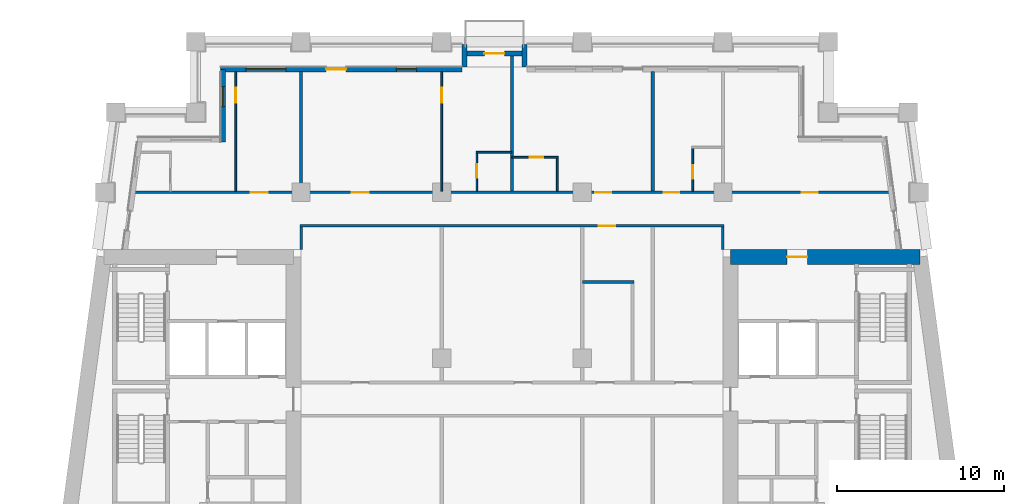
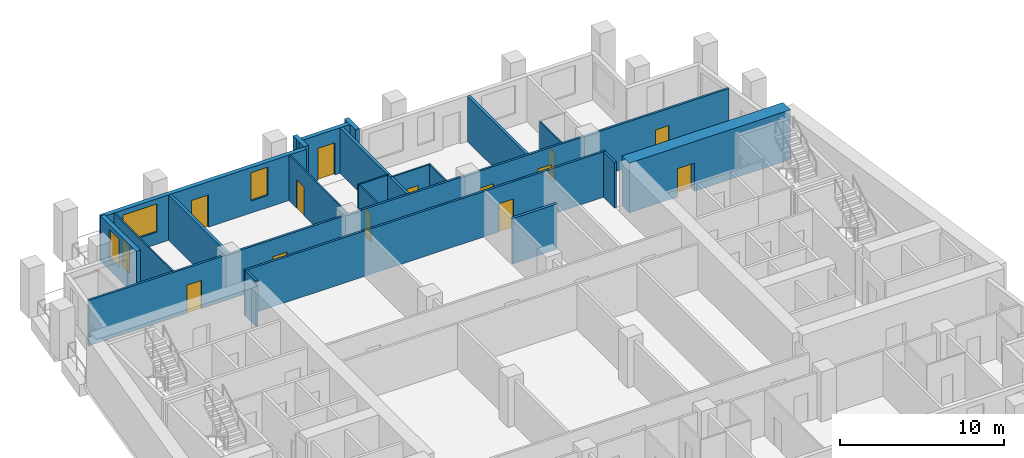
# One storey, part 7 of 13: 21 walls, 14 doors, 3 windows, 17 openings.
"""IFC4 building model written with IfcOpenShell, lengths in metres."""

import ifcopenshell
import ifcopenshell.guid

model = None  # the IFC model being written
_history = None  # IfcOwnerHistory: only IFC2X3 demands one
_inside = {}  # id of a spatial element -> (the spatial element, [elements in it])
_under = {}  # id of a project, library or spatial element -> (it, [spatial elements below it])
_declared = {}  # id of a project -> (the project, [libraries it declares])
_typed = {}  # id of a type object -> (the type object, [elements of that type])
_made_of = {}  # id of a material, layer set ... -> (it, [elements and type objects made of it])


def new_model(schema):
    """Start an empty IFC model of exactly this schema.

    Asked for "IFC4X3", IfcOpenShell would pick the latest addendum, in which some entities
    have other attributes; the version numbers below select the first issue.
    IFC2X3 requires an IfcOwnerHistory on every rooted entity: one is made here for all.
    """
    global model, _history
    if schema == "IFC4X3":
        model = ifcopenshell.file(schema_version=(4, 3, 0, 0))
    else:
        model = ifcopenshell.file(schema=schema)
    _inside.clear()
    _under.clear()
    _declared.clear()
    _typed.clear()
    _made_of.clear()
    _history = None
    if model.schema == "IFC2X3":
        org = make("IfcOrganization", Name="unknown")
        user = make(
            "IfcPersonAndOrganization",
            ThePerson=make("IfcPerson", FamilyName="unknown"),
            TheOrganization=org,
        )
        app = make(
            "IfcApplication",
            ApplicationDeveloper=org,
            Version="unknown",
            ApplicationFullName="unknown",
            ApplicationIdentifier="unknown",
        )
        _history = make(
            "IfcOwnerHistory",
            OwningUser=user,
            OwningApplication=app,
            ChangeAction="ADDED",
            CreationDate=0,
        )
    return model


def make(cls, **values):
    """One entity of the class cls with the attributes given. An attribute that is None is left unset."""
    return model.create_entity(
        cls, **{name: value for name, value in values.items() if value is not None}
    )


def rooted(cls, **values):
    """An entity with a GlobalId (a new one), such as an element, a storey or a relation."""
    return make(cls, GlobalId=ifcopenshell.guid.new(), OwnerHistory=_history, **values)


def si_unit(unit_type, name, prefix=None):
    """IfcSIUnit, for example si_unit("LENGTHUNIT", "METRE", prefix="MILLI")."""
    return make("IfcSIUnit", UnitType=unit_type, Prefix=prefix, Name=name)


def assignment(units):
    """IfcUnitAssignment: the units of a project."""
    return None if units is None else make("IfcUnitAssignment", Units=units)


def point(xyz):
    """IfcCartesianPoint."""
    return None if xyz is None else make("IfcCartesianPoint", Coordinates=xyz)


def direction(xyz):
    """IfcDirection."""
    return None if xyz is None else make("IfcDirection", DirectionRatios=xyz)


def frame(location, z_axis=None, x_axis=None):
    """IfcAxis2Placement3D, a coordinate frame: its origin and axes. An axis left out is left unset."""
    return make(
        "IfcAxis2Placement3D",
        Location=point(location),
        Axis=direction(z_axis),
        RefDirection=direction(x_axis),
    )


def frame_2d(location, x_axis=None):
    """IfcAxis2Placement2D, a coordinate frame in the plane: its origin and x axis."""
    return make(
        "IfcAxis2Placement2D", Location=point(location), RefDirection=direction(x_axis)
    )


def origin():
    """The frame at (0, 0, 0) with its axes left unset."""
    return frame((0.0, 0.0, 0.0))


def place(relative_to, where):
    """IfcLocalPlacement: puts the frame where relative to a parent placement (None: the world)."""
    return make(
        "IfcLocalPlacement", PlacementRelTo=relative_to, RelativePlacement=where
    )


def context(
    kind, dimensions, precision=None, world=None, true_north=None, identifier=None
):
    """IfcGeometricRepresentationContext, for example the 3D "Model" context."""
    return make(
        "IfcGeometricRepresentationContext",
        ContextIdentifier=identifier,
        ContextType=kind,
        CoordinateSpaceDimension=dimensions,
        Precision=precision,
        WorldCoordinateSystem=world,
        TrueNorth=true_north,
    )


def subcontext(parent, identifier, kind, view, scale=None):
    """IfcGeometricRepresentationSubContext, for example "Body" below "Model"."""
    return make(
        "IfcGeometricRepresentationSubContext",
        ContextIdentifier=identifier,
        ContextType=kind,
        ParentContext=parent,
        TargetScale=scale,
        TargetView=view,
    )


def project(units=None, contexts=None):
    """IfcProject with its units and contexts."""
    return rooted(
        "IfcProject",
        Name="project",
        RepresentationContexts=contexts,
        UnitsInContext=assignment(units),
    )


def spatial(cls, under=None, at=None, **own):
    """A site, building, storey or space (cls), placed at a placement, below another one or the project."""
    s = rooted(cls, ObjectPlacement=at, **own)
    if under is not None:
        _under.setdefault(under.id(), (under, []))[1].append(s)
    return s


def profile(cls, at=None, kind="AREA", **sizes):
    """A parametric profile (cls). Its sizes go by their IFC names, for example OverallWidth=200.0."""
    return make(cls, ProfileType=kind, Position=at, **sizes)


def rectangle(**sizes):
    """IfcRectangleProfileDef."""
    return profile("IfcRectangleProfileDef", **sizes)


def extrude(swept, where, along, depth):
    """IfcExtrudedAreaSolid: the profile swept, set in the frame where, extruded along a direction by depth."""
    return make(
        "IfcExtrudedAreaSolid",
        SweptArea=swept,
        Position=where,
        ExtrudedDirection=direction(along),
        Depth=depth,
    )


def shape(context_of_items, identifier, shape_type, items):
    """IfcShapeRepresentation: the items that make up one representation, for example the "Body"."""
    return make(
        "IfcShapeRepresentation",
        ContextOfItems=context_of_items,
        RepresentationIdentifier=identifier,
        RepresentationType=shape_type,
        Items=items,
    )


def material(Name=None, Category=None):
    """IfcMaterial."""
    return make("IfcMaterial", Name=Name, Category=Category)


def layer(
    of_material, thickness, ventilated=None, Name=None, Category=None, Priority=None
):
    """IfcMaterialLayer: one layer of a wall or slab, of a material (None: an air gap)."""
    return make(
        "IfcMaterialLayer",
        Material=of_material,
        LayerThickness=thickness,
        IsVentilated=ventilated,
        Name=Name,
        Category=Category,
        Priority=Priority,
    )


def layer_set(layers, Name=None):
    """IfcMaterialLayerSet."""
    return make("IfcMaterialLayerSet", MaterialLayers=layers, LayerSetName=Name)


def made_of(thing, what):
    """Note that an element or type object is made of a material, layer set ...; save() writes the relation."""
    if what is not None:
        _made_of.setdefault(what.id(), (what, []))[1].append(thing)
    return thing


def type_object(cls, material=None, **own):
    """A type object (cls), such as IfcWallType, which elements share."""
    return made_of(rooted(cls, **own), material)


def element(
    cls,
    number,
    at=None,
    inside=None,
    cuts=None,
    type_object=None,
    material=None,
    context=None,
    identifier="Body",
    shape_type=None,
    held_by="IfcProductDefinitionShape",
    body=None,
    shapes=None,
    **own,
):
    """One element of the class cls, such as IfcWall. Its Tag is "e" and its number.

    at: its placement. inside: the storey or other place that contains it. cuts: it is an
    opening in that element (IfcRelVoidsElement). A single representation is given by context,
    identifier, shape_type and body (its items); several are given by shapes. held_by: the class
    of the entity that holds the representations. save() writes the other relations.
    """
    e = rooted(cls, Tag="e%d" % number, ObjectPlacement=at, **own)
    if body is not None:
        shapes = [shape(context, identifier, shape_type, body)]
    if shapes is not None:
        e.Representation = make(held_by, Representations=shapes)
    if inside is not None:
        _inside.setdefault(inside.id(), (inside, []))[1].append(e)
    if cuts is not None:
        rooted(
            "IfcRelVoidsElement", RelatingBuildingElement=cuts, RelatedOpeningElement=e
        )
    if type_object is not None:
        _typed.setdefault(type_object.id(), (type_object, []))[1].append(e)
    return made_of(e, material)


def fill(opening, filler):
    """IfcRelFillsElement: the door or window that sits in an opening."""
    return rooted(
        "IfcRelFillsElement",
        RelatingOpeningElement=opening,
        RelatedBuildingElement=filler,
    )


def aggregate(whole, parts):
    """IfcRelAggregates: a whole, such as a stair, and the parts it consists of."""
    return rooted("IfcRelAggregates", RelatingObject=whole, RelatedObjects=parts)


def save(model, path):
    """Write the relations noted so far, then the file.

    IfcRelAggregates (storeys below a building ...), IfcRelContainedInSpatialStructure (elements
    in a storey), IfcRelDefinesByType, IfcRelAssociatesMaterial and IfcRelDeclares: one each for
    every whole, place, type object, material and project.
    """
    for whole, parts in _under.values():
        aggregate(whole, parts)
    for where, things in _inside.values():
        rooted(
            "IfcRelContainedInSpatialStructure",
            RelatedElements=things,
            RelatingStructure=where,
        )
    for kind, things in _typed.values():
        rooted("IfcRelDefinesByType", RelatedObjects=things, RelatingType=kind)
    for what, things in _made_of.values():
        rooted("IfcRelAssociatesMaterial", RelatedObjects=things, RelatingMaterial=what)
    for by, libraries in _declared.values():
        rooted("IfcRelDeclares", RelatingContext=by, RelatedDefinitions=libraries)
    model.write(path)


model = new_model("IFC4")

# Units and contexts
model_context = context("Model", 3, precision=1e-05, world=origin(), true_north=direction((0.0, 1.0)))
body_context = subcontext(model_context, "Body", "Model", "MODEL_VIEW")
ifc_project = project(units=[si_unit("LENGTHUNIT", "METRE"), si_unit("AREAUNIT", "SQUARE_METRE"), si_unit("VOLUMEUNIT", "CUBIC_METRE"), si_unit("PLANEANGLEUNIT", "RADIAN"), si_unit("MASSUNIT", "GRAM", prefix="KILO")], contexts=[model_context])

# Site, building, storey
site_placement = place(None, origin())
site = spatial("IfcSite", under=ifc_project, at=site_placement, CompositionType="ELEMENT")
building_placement = place(site_placement, origin())
building = spatial("IfcBuilding", under=site, at=building_placement, Name="Candeia Pilgrim Tower and Theatre", CompositionType="ELEMENT")
storey_placement = place(building_placement, frame((0.0, 0.0, 155.199951171875)))
storey = spatial("IfcBuildingStorey", under=building, at=storey_placement, Name="L36", CompositionType="ELEMENT", Elevation=155.199951171875)

# Wall, opening, door
ifc_material_1 = material(Name="Concrete C60/75", Category="concrete")
ifc_layer_1 = layer(ifc_material_1, 0.89990234375)
ifc_layer_set_1 = layer_set([ifc_layer_1], Name="Core wall 900 C60/75")
wall_type_1 = type_object("IfcWallType", Name="Core wall 900 C60/75", PredefinedType="SHEAR", material=ifc_layer_set_1)
wall_1_placement = place(storey_placement, frame((126.449951171875, 131.949951171875, 0.0), z_axis=(0.0, 0.0, 1.0), x_axis=(1.0, 0.0, 0.0)))
wall_1 = element("IfcWall", 1, at=wall_1_placement, inside=storey, type_object=wall_type_1, Name="Core wall E1", PredefinedType="SHEAR", context=body_context, shape_type="SweptSolid", body=[
    extrude(rectangle(XDim=11.32568359375, YDim=0.89990234375, at=frame_2d((5.662841796875, 0.0))), origin(), (0.0, 0.0, 1.0), 3.699951171875),
])
opening_1_placement = place(wall_1_placement, frame((3.386474609375, 0.0, 0.0)))
opening_1 = element("IfcOpeningElement", 2, at=opening_1_placement, cuts=wall_1, Name="Opening L36-D059", PredefinedType="OPENING", context=body_context, shape_type="SweptSolid", body=[
    extrude(rectangle(XDim=1.199951171875, YDim=2.10009765625, at=frame_2d((0.60009765625, 1.050048828125))), frame((0.0, 0.4599609375, 0.0), z_axis=(0.0, -1.0, 0.0), x_axis=(1.0, 0.0, 0.0)), (0.0, 0.0, 1.0), 0.919921875),
])
ifc_material_2 = material(Name="Steel fire door set", Category="steel")
door_type_1 = type_object("IfcDoorType", Name="D-1200-FD60", OperationType="NOTDEFINED", PredefinedType="DOOR", material=ifc_material_2)
door_1_placement = place(opening_1_placement, origin())
door_1 = element("IfcDoor", 3, at=door_1_placement, inside=storey, type_object=door_type_1, Name="Door L36-D059", OperationType="SINGLE_SWING_LEFT", OverallHeight=2.10009765625, OverallWidth=1.199951171875, PredefinedType="DOOR", context=body_context, shape_type="SweptSolid", body=[
    extrude(rectangle(XDim=1.199951171875, YDim=2.10009765625, at=frame_2d((0.60009765625, 1.050048828125))), frame((0.0, 0.02490234375, 0.0), z_axis=(0.0, -1.0, 0.0), x_axis=(1.0, 0.0, 0.0)), (0.0, 0.0, 1.0), 0.050048828125),
])
fill(opening_1, door_1)

# Wall, openings, door, windows
ifc_material_3 = material(Name="Ceramic block masonry", Category="masonry")
ifc_layer_2 = layer(ifc_material_3, 0.300048828125)
ifc_layer_set_2 = layer_set([ifc_layer_2], Name="EW1 glazing-line wall 300")
wall_type_2 = type_object("IfcWallType", Name="EW1 glazing-line wall 300", PredefinedType="SOLIDWALL", material=ifc_layer_set_2)
wall_2_placement = place(storey_placement, frame((110.39990234375, 143.14990234375, 0.0), z_axis=(0.0, 0.0, 1.0), x_axis=(-1.0, 0.0, 0.0)))
wall_2 = element("IfcWall", 4, at=wall_2_placement, inside=storey, type_object=wall_type_2, Name="External wall L36-6.1", PredefinedType="SOLIDWALL", context=body_context, shape_type="SweptSolid", body=[
    extrude(rectangle(XDim=14.39990234375, YDim=0.300048828125, at=frame_2d((7.199951171875, 0.0))), origin(), (0.0, 0.0, 1.0), 3.380126953125),
])
opening_2_placement = place(wall_2_placement, frame((2.699951171875, 0.0, 0.89990234375)))
opening_2 = element("IfcOpeningElement", 5, at=opening_2_placement, cuts=wall_2, Name="Opening W-B", PredefinedType="OPENING", context=body_context, shape_type="SweptSolid", body=[
    extrude(rectangle(XDim=1.199951171875, YDim=2.10009765625, at=frame_2d((0.60009765625, 1.050048828125))), frame((0.0, 0.16015625, 0.0), z_axis=(0.0, -1.0, 0.0), x_axis=(1.0, 0.0, 0.0)), (0.0, 0.0, 1.0), 0.320068359375),
])
opening_3_placement = place(wall_2_placement, frame((6.89990234375, 0.0, 0.0)))
opening_3 = element("IfcOpeningElement", 6, at=opening_3_placement, cuts=wall_2, Name="Opening L36-ED349", PredefinedType="OPENING", context=body_context, shape_type="SweptSolid", body=[
    extrude(rectangle(XDim=1.199951171875, YDim=2.39990234375, at=frame_2d((0.60009765625, 1.199951171875))), frame((0.0, 0.16015625, 0.0), z_axis=(0.0, -1.0, 0.0), x_axis=(1.0, 0.0, 0.0)), (0.0, 0.0, 1.0), 0.320068359375),
])
opening_4_placement = place(wall_2_placement, frame((10.5, 0.0, 0.89990234375)))
opening_4 = element("IfcOpeningElement", 7, at=opening_4_placement, cuts=wall_2, Name="Opening W-A", PredefinedType="OPENING", context=body_context, shape_type="SweptSolid", body=[
    extrude(rectangle(XDim=2.39990234375, YDim=2.10009765625, at=frame_2d((1.199951171875, 1.050048828125))), frame((0.0, 0.16015625, 0.0), z_axis=(0.0, -1.0, 0.0), x_axis=(1.0, 0.0, 0.0)), (0.0, 0.0, 1.0), 0.320068359375),
])
ifc_material_4 = material(Name="Aluminium framed glazed door", Category="aluminium")
door_type_2 = type_object("IfcDoorType", Name="Loggia door 1200x2400", OperationType="DOUBLE_DOOR_SINGLE_SWING", PredefinedType="DOOR", material=ifc_material_4)
door_2_placement = place(opening_3_placement, origin())
door_2 = element("IfcDoor", 8, at=door_2_placement, inside=storey, type_object=door_type_2, Name="Loggia door L36-ED349", OperationType="DOUBLE_DOOR_SINGLE_SWING", OverallHeight=2.39990234375, OverallWidth=1.199951171875, PredefinedType="DOOR", context=body_context, shape_type="SweptSolid", body=[
    extrude(rectangle(XDim=1.199951171875, YDim=2.39990234375, at=frame_2d((0.60009765625, 1.199951171875))), frame((0.0, 0.02490234375, 0.0), z_axis=(0.0, -1.0, 0.0), x_axis=(1.0, 0.0, 0.0)), (0.0, 0.0, 1.0), 0.050048828125),
])
fill(opening_3, door_2)
ifc_material_5 = material(Name="Aluminium framed double glazing", Category="aluminium")
window_type_1 = type_object("IfcWindowType", Name="W-A window 2400x2100", PartitioningType="DOUBLE_PANEL_VERTICAL", PredefinedType="WINDOW", material=ifc_material_5)
window_1_placement = place(opening_4_placement, origin())
window_1 = element("IfcWindow", 9, at=window_1_placement, inside=storey, type_object=window_type_1, Name="Window W-A L36", OverallHeight=2.10009765625, OverallWidth=2.39990234375, PartitioningType="SINGLE_PANEL", PredefinedType="WINDOW", context=body_context, shape_type="SweptSolid", body=[
    extrude(rectangle(XDim=2.39990234375, YDim=2.10009765625, at=frame_2d((1.199951171875, 1.050048828125))), frame((0.0, 0.030029296875, 0.0), z_axis=(0.0, -1.0, 0.0), x_axis=(1.0, 0.0, 0.0)), (0.0, 0.0, 1.0), 0.06005859375),
])
fill(opening_4, window_1)
window_type_2 = type_object("IfcWindowType", Name="W-B window 1200x2100", PartitioningType="SINGLE_PANEL", PredefinedType="WINDOW", material=ifc_material_5)
window_2_placement = place(opening_2_placement, origin())
window_2 = element("IfcWindow", 10, at=window_2_placement, inside=storey, type_object=window_type_2, Name="Window W-B L36", OverallHeight=2.10009765625, OverallWidth=1.199951171875, PartitioningType="SINGLE_PANEL", PredefinedType="WINDOW", context=body_context, shape_type="SweptSolid", body=[
    extrude(rectangle(XDim=1.199951171875, YDim=2.10009765625, at=frame_2d((0.60009765625, 1.050048828125))), frame((0.0, 0.030029296875, 0.0), z_axis=(0.0, -1.0, 0.0), x_axis=(1.0, 0.0, 0.0)), (0.0, 0.0, 1.0), 0.06005859375),
])
fill(opening_2, window_2)

# Wall, opening, window
wall_3_placement = place(storey_placement, frame((96.14990234375, 143.14990234375, 0.0), z_axis=(0.0, 0.0, 1.0), x_axis=(0.0, -1.0, 0.0)))
wall_3 = element("IfcWall", 11, at=wall_3_placement, inside=storey, type_object=wall_type_2, Name="External wall L36-7.0", PredefinedType="SOLIDWALL", context=body_context, shape_type="SweptSolid", body=[
    extrude(rectangle(XDim=4.349853515625, YDim=0.300048828125, at=frame_2d((2.1748046875, 0.0))), origin(), (0.0, 0.0, 1.0), 3.380126953125),
])
opening_5_placement = place(wall_3_placement, frame((1.02490234375, 0.0, 0.89990234375)))
opening_5 = element("IfcOpeningElement", 12, at=opening_5_placement, cuts=wall_3, Name="Opening W-B", PredefinedType="OPENING", context=body_context, shape_type="SweptSolid", body=[
    extrude(rectangle(XDim=1.199951171875, YDim=2.10009765625, at=frame_2d((0.60009765625, 1.050048828125))), frame((0.0, 0.16015625, 0.0), z_axis=(0.0, -1.0, 0.0), x_axis=(1.0, 0.0, 0.0)), (0.0, 0.0, 1.0), 0.320068359375),
])
window_3_placement = place(opening_5_placement, origin())
window_3 = element("IfcWindow", 13, at=window_3_placement, inside=storey, type_object=window_type_2, Name="Window W-B L36", OverallHeight=2.10009765625, OverallWidth=1.199951171875, PartitioningType="SINGLE_PANEL", PredefinedType="WINDOW", context=body_context, shape_type="SweptSolid", body=[
    extrude(rectangle(XDim=1.199951171875, YDim=2.10009765625, at=frame_2d((0.60009765625, 1.050048828125))), frame((0.0, 0.030029296875, 0.0), z_axis=(0.0, -1.0, 0.0), x_axis=(1.0, 0.0, 0.0)), (0.0, 0.0, 1.0), 0.06005859375),
])
fill(opening_5, window_3)

# Walls
ifc_layer_3 = layer(ifc_material_3, 0.300048828125)
ifc_layer_set_3 = layer_set([ifc_layer_3], Name="EW2 entrance infill wall 300")
wall_type_3 = type_object("IfcWallType", Name="EW2 entrance infill wall 300", PredefinedType="SOLIDWALL", material=ifc_layer_set_3)
for number, where, z_axis, x_axis, name in (
    (14, (114.14990234375, 143.300048828125, 0.0), (0.0, 0.0, 1.0), (0.0, 1.0, 0.0), "Alcove wall L36"),
    (15, (110.550048828125, 143.300048828125, 0.0), (0.0, 0.0, 1.0), (0.0, 1.0, 0.0), "Alcove wall L36"),
):
    element("IfcWall", number, at=place(storey_placement, frame(where, z_axis=z_axis, x_axis=x_axis)), inside=storey, type_object=wall_type_3, Name=name, PredefinedType="SOLIDWALL", context=body_context, shape_type="SweptSolid", body=[
        extrude(rectangle(XDim=1.349853515625, YDim=0.300048828125, at=frame_2d((0.6748046875, 0.0))), origin(), (0.0, 0.0, 1.0), 3.380126953125),
    ])

# Wall, opening, door
wall_4_placement = place(storey_placement, frame((114.300048828125, 144.10009765625, 0.0), z_axis=(0.0, 0.0, 1.0), x_axis=(-1.0, 0.0, 0.0)))
wall_4 = element("IfcWall", 16, at=wall_4_placement, inside=storey, type_object=wall_type_3, Name="Alcove wall L36", PredefinedType="SOLIDWALL", context=body_context, shape_type="SweptSolid", body=[
    extrude(rectangle(XDim=3.900146484375, YDim=0.300048828125, at=frame_2d((1.9501953125, 0.0))), origin(), (0.0, 0.0, 1.0), 3.380126953125),
])
opening_6_placement = place(wall_4_placement, frame((1.35009765625, 0.0, 0.0)))
opening_6 = element("IfcOpeningElement", 17, at=opening_6_placement, cuts=wall_4, Name="Opening L36-ED350", PredefinedType="OPENING", context=body_context, shape_type="SweptSolid", body=[
    extrude(rectangle(XDim=1.199951171875, YDim=2.39990234375, at=frame_2d((0.60009765625, 1.199951171875))), frame((0.0, 0.16015625, 0.0), z_axis=(0.0, -1.0, 0.0), x_axis=(1.0, 0.0, 0.0)), (0.0, 0.0, 1.0), 0.320068359375),
])
door_3_placement = place(opening_6_placement, origin())
door_3 = element("IfcDoor", 18, at=door_3_placement, inside=storey, type_object=door_type_2, Name="Balcony door L36-ED350", OperationType="DOUBLE_DOOR_SINGLE_SWING", OverallHeight=2.39990234375, OverallWidth=1.199951171875, PredefinedType="DOOR", context=body_context, shape_type="SweptSolid", body=[
    extrude(rectangle(XDim=1.199951171875, YDim=2.39990234375, at=frame_2d((0.60009765625, 1.199951171875))), frame((0.0, 0.02490234375, 0.0), z_axis=(0.0, -1.0, 0.0), x_axis=(1.0, 0.0, 0.0)), (0.0, 0.0, 1.0), 0.050048828125),
])
fill(opening_6, door_3)

ifc_material_6 = material(Name="Gypsum board partition on steel studs", Category="steel")
ifc_layer_4 = layer(ifc_material_6, 0.10009765625)
ifc_layer_set_4 = layer_set([ifc_layer_4], Name="PW-100 room partition")
wall_type_4 = type_object("IfcWallType", Name="PW-100 room partition", PredefinedType="PARTITIONING", material=ifc_layer_set_4)
wall_5_placement = place(storey_placement, frame((113.39990234375, 137.89990234375, 0.0), z_axis=(0.0, 0.0, 1.0), x_axis=(1.0, 0.0, 0.0)))
wall_5 = element("IfcWall", 19, at=wall_5_placement, inside=storey, type_object=wall_type_4, Name="Room partition L36-043", PredefinedType="PARTITIONING", context=body_context, shape_type="SweptSolid", body=[
    extrude(rectangle(XDim=2.75, YDim=0.10009765625, at=frame_2d((1.375, 0.0))), origin(), (0.0, 0.0, 1.0), 3.380126953125),
])
opening_7_placement = place(wall_5_placement, frame((1.070068359375, 0.0, 0.0)))
opening_7 = element("IfcOpeningElement", 20, at=opening_7_placement, cuts=wall_5, Name="Opening L36-D042", PredefinedType="OPENING", context=body_context, shape_type="SweptSolid", body=[
    extrude(rectangle(XDim=0.800048828125, YDim=2.10009765625, at=frame_2d((0.39990234375, 1.050048828125))), frame((0.0, 0.06005859375, 0.0), z_axis=(0.0, -1.0, 0.0), x_axis=(1.0, 0.0, 0.0)), (0.0, 0.0, 1.0), 0.1201171875),
])
ifc_material_7 = material(Name="Timber door leaf", Category="wood")
door_type_3 = type_object("IfcDoorType", Name="D-800", OperationType="NOTDEFINED", PredefinedType="DOOR", material=ifc_material_7)
door_4_placement = place(opening_7_placement, origin())
door_4 = element("IfcDoor", 21, at=door_4_placement, inside=storey, type_object=door_type_3, Name="Door L36-D042", OperationType="SINGLE_SWING_RIGHT", OverallHeight=2.10009765625, OverallWidth=0.800048828125, PredefinedType="DOOR", context=body_context, shape_type="SweptSolid", body=[
    extrude(rectangle(XDim=0.800048828125, YDim=2.10009765625, at=frame_2d((0.39990234375, 1.050048828125))), frame((0.0, 0.02490234375, 0.0), z_axis=(0.0, -1.0, 0.0), x_axis=(1.0, 0.0, 0.0)), (0.0, 0.0, 1.0), 0.050048828125),
])
fill(opening_7, door_4)

# Wall
wall_6_placement = place(storey_placement, frame((111.25, 138.199951171875, 0.0), z_axis=(0.0, 0.0, 1.0), x_axis=(1.0, 0.0, 0.0)))
element("IfcWall", 22, at=wall_6_placement, inside=storey, type_object=wall_type_4, Name="Room partition L36-045", PredefinedType="PARTITIONING", context=body_context, shape_type="SweptSolid", body=[
    extrude(rectangle(XDim=2.14990234375, YDim=0.10009765625, at=frame_2d((1.074951171875, 0.0))), origin(), (0.0, 0.0, 1.0), 3.380126953125),
])

# Wall, opening, door
wall_7_placement = place(storey_placement, frame((96.89990234375, 135.875, 0.0), z_axis=(0.0, 0.0, 1.0), x_axis=(0.0, 1.0, 0.0)))
wall_7 = element("IfcWall", 23, at=wall_7_placement, inside=storey, type_object=wall_type_4, Name="Room partition L36-064", PredefinedType="PARTITIONING", context=body_context, shape_type="SweptSolid", body=[
    extrude(rectangle(XDim=7.135009765625, YDim=0.10009765625, at=frame_2d((3.5673828125, 0.0))), origin(), (0.0, 0.0, 1.0), 3.380126953125),
])
opening_8_placement = place(wall_7_placement, frame((5.2900390625, 0.0, 0.0)))
opening_8 = element("IfcOpeningElement", 24, at=opening_8_placement, cuts=wall_7, Name="Opening L36-D036", PredefinedType="OPENING", context=body_context, shape_type="SweptSolid", body=[
    extrude(rectangle(XDim=0.89990234375, YDim=2.10009765625, at=frame_2d((0.449951171875, 1.050048828125))), frame((0.0, 0.06005859375, 0.0), z_axis=(0.0, -1.0, 0.0), x_axis=(1.0, 0.0, 0.0)), (0.0, 0.0, 1.0), 0.1201171875),
])
door_type_4 = type_object("IfcDoorType", Name="D-900", OperationType="NOTDEFINED", PredefinedType="DOOR", material=ifc_material_7)
door_5_placement = place(opening_8_placement, origin())
door_5 = element("IfcDoor", 25, at=door_5_placement, inside=storey, type_object=door_type_4, Name="Door L36-D036", OperationType="SINGLE_SWING_RIGHT", OverallHeight=2.10009765625, OverallWidth=0.89990234375, PredefinedType="DOOR", context=body_context, shape_type="SweptSolid", body=[
    extrude(rectangle(XDim=0.89990234375, YDim=2.10009765625, at=frame_2d((0.449951171875, 1.050048828125))), frame((0.0, 0.02490234375, 0.0), z_axis=(0.0, -1.0, 0.0), x_axis=(1.0, 0.0, 0.0)), (0.0, 0.0, 1.0), 0.050048828125),
])
fill(opening_8, door_5)

wall_8_placement = place(storey_placement, frame((109.199951171875, 135.875, 0.0), z_axis=(0.0, 0.0, 1.0), x_axis=(0.0, 1.0, 0.0)))
wall_8 = element("IfcWall", 26, at=wall_8_placement, inside=storey, type_object=wall_type_4, Name="Room partition L36-077", PredefinedType="PARTITIONING", context=body_context, shape_type="SweptSolid", body=[
    extrude(rectangle(XDim=7.135009765625, YDim=0.10009765625, at=frame_2d((3.5673828125, 0.0))), origin(), (0.0, 0.0, 1.0), 3.380126953125),
])
opening_9_placement = place(wall_8_placement, frame((5.2900390625, 0.0, 0.0)))
opening_9 = element("IfcOpeningElement", 27, at=opening_9_placement, cuts=wall_8, Name="Opening L36-D039", PredefinedType="OPENING", context=body_context, shape_type="SweptSolid", body=[
    extrude(rectangle(XDim=0.89990234375, YDim=2.10009765625, at=frame_2d((0.449951171875, 1.050048828125))), frame((0.0, 0.06005859375, 0.0), z_axis=(0.0, -1.0, 0.0), x_axis=(1.0, 0.0, 0.0)), (0.0, 0.0, 1.0), 0.1201171875),
])
door_6_placement = place(opening_9_placement, origin())
door_6 = element("IfcDoor", 28, at=door_6_placement, inside=storey, type_object=door_type_4, Name="Door L36-D039", OperationType="SINGLE_SWING_LEFT", OverallHeight=2.10009765625, OverallWidth=0.89990234375, PredefinedType="DOOR", context=body_context, shape_type="SweptSolid", body=[
    extrude(rectangle(XDim=0.89990234375, YDim=2.10009765625, at=frame_2d((0.449951171875, 1.050048828125))), frame((0.0, 0.02490234375, 0.0), z_axis=(0.0, -1.0, 0.0), x_axis=(1.0, 0.0, 0.0)), (0.0, 0.0, 1.0), 0.050048828125),
])
fill(opening_9, door_6)

wall_9_placement = place(storey_placement, frame((111.300048828125, 135.875, 0.0), z_axis=(0.0, 0.0, 1.0), x_axis=(0.0, 1.0, 0.0)))
wall_9 = element("IfcWall", 29, at=wall_9_placement, inside=storey, type_object=wall_type_4, Name="Room partition L36-081", PredefinedType="PARTITIONING", context=body_context, shape_type="SweptSolid", body=[
    extrude(rectangle(XDim=2.27490234375, YDim=0.10009765625, at=frame_2d((1.137451171875, 0.0))), origin(), (0.0, 0.0, 1.0), 3.380126953125),
])
opening_10_placement = place(wall_9_placement, frame((0.81494140625, 0.0, 0.0)))
opening_10 = element("IfcOpeningElement", 30, at=opening_10_placement, cuts=wall_9, Name="Opening L36-D040", PredefinedType="OPENING", context=body_context, shape_type="SweptSolid", body=[
    extrude(rectangle(XDim=0.800048828125, YDim=2.10009765625, at=frame_2d((0.39990234375, 1.050048828125))), frame((0.0, 0.06005859375, 0.0), z_axis=(0.0, -1.0, 0.0), x_axis=(1.0, 0.0, 0.0)), (0.0, 0.0, 1.0), 0.1201171875),
])
door_7_placement = place(opening_10_placement, origin())
door_7 = element("IfcDoor", 31, at=door_7_placement, inside=storey, type_object=door_type_3, Name="Door L36-D040", OperationType="SINGLE_SWING_RIGHT", OverallHeight=2.10009765625, OverallWidth=0.800048828125, PredefinedType="DOOR", context=body_context, shape_type="SweptSolid", body=[
    extrude(rectangle(XDim=0.800048828125, YDim=2.10009765625, at=frame_2d((0.39990234375, 1.050048828125))), frame((0.0, 0.02490234375, 0.0), z_axis=(0.0, -1.0, 0.0), x_axis=(1.0, 0.0, 0.0)), (0.0, 0.0, 1.0), 0.050048828125),
])
fill(opening_10, door_7)

# Wall
wall_10_placement = place(storey_placement, frame((116.10009765625, 135.875, 0.0), z_axis=(0.0, 0.0, 1.0), x_axis=(0.0, 1.0, 0.0)))
element("IfcWall", 32, at=wall_10_placement, inside=storey, type_object=wall_type_4, Name="Room partition L36-085", PredefinedType="PARTITIONING", context=body_context, shape_type="SweptSolid", body=[
    extrude(rectangle(XDim=1.97509765625, YDim=0.10009765625, at=frame_2d((0.987548828125, 0.0))), origin(), (0.0, 0.0, 1.0), 3.380126953125),
])

# Wall, opening, door
wall_11_placement = place(storey_placement, frame((124.199951171875, 135.875, 0.0), z_axis=(0.0, 0.0, 1.0), x_axis=(0.0, 1.0, 0.0)))
wall_11 = element("IfcWall", 33, at=wall_11_placement, inside=storey, type_object=wall_type_4, Name="Room partition L36-095", PredefinedType="PARTITIONING", context=body_context, shape_type="SweptSolid", body=[
    extrude(rectangle(XDim=2.574951171875, YDim=0.10009765625, at=frame_2d((1.28759765625, 0.0))), origin(), (0.0, 0.0, 1.0), 3.380126953125),
])
opening_11_placement = place(wall_11_placement, frame((0.7548828125, 0.0, 0.0)))
opening_11 = element("IfcOpeningElement", 34, at=opening_11_placement, cuts=wall_11, Name="Opening L36-D044", PredefinedType="OPENING", context=body_context, shape_type="SweptSolid", body=[
    extrude(rectangle(XDim=0.800048828125, YDim=2.10009765625, at=frame_2d((0.39990234375, 1.050048828125))), frame((0.0, 0.06005859375, 0.0), z_axis=(0.0, -1.0, 0.0), x_axis=(1.0, 0.0, 0.0)), (0.0, 0.0, 1.0), 0.1201171875),
])
door_8_placement = place(opening_11_placement, origin())
door_8 = element("IfcDoor", 35, at=door_8_placement, inside=storey, type_object=door_type_3, Name="Door L36-D044", OperationType="SINGLE_SWING_RIGHT", OverallHeight=2.10009765625, OverallWidth=0.800048828125, PredefinedType="DOOR", context=body_context, shape_type="SweptSolid", body=[
    extrude(rectangle(XDim=0.800048828125, YDim=2.10009765625, at=frame_2d((0.39990234375, 1.050048828125))), frame((0.0, 0.02490234375, 0.0), z_axis=(0.0, -1.0, 0.0), x_axis=(1.0, 0.0, 0.0)), (0.0, 0.0, 1.0), 0.050048828125),
])
fill(opening_11, door_8)

ifc_layer_5 = layer(ifc_material_6, 0.14990234375)
ifc_layer_set_5 = layer_set([ifc_layer_5], Name="PW-150 unit wall")
wall_type_5 = type_object("IfcWallType", Name="PW-150 unit wall", PredefinedType="PARTITIONING", material=ifc_layer_set_5)
wall_12_placement = place(storey_placement, frame((100.72509765625, 133.800048828125, 0.0), z_axis=(0.0, 0.0, 1.0), x_axis=(1.0, 0.0, 0.0)))
wall_12 = element("IfcWall", 36, at=wall_12_placement, inside=storey, type_object=wall_type_5, Name="Unit wall L36-041", PredefinedType="PARTITIONING", context=body_context, shape_type="SweptSolid", body=[
    extrude(rectangle(XDim=25.349853515625, YDim=0.14990234375, at=frame_2d((12.6748046875, 0.0))), origin(), (0.0, 0.0, 1.0), 3.380126953125),
])
opening_12_placement = place(wall_12_placement, frame((17.85009765625, 0.0, 0.0)))
opening_12 = element("IfcOpeningElement", 37, at=opening_12_placement, cuts=wall_12, Name="Opening L36-D046", PredefinedType="OPENING", context=body_context, shape_type="SweptSolid", body=[
    extrude(rectangle(XDim=1.0, YDim=2.10009765625, at=frame_2d((0.5, 1.050048828125))), frame((0.0, 0.0849609375, 0.0), z_axis=(0.0, -1.0, 0.0), x_axis=(1.0, 0.0, 0.0)), (0.0, 0.0, 1.0), 0.169921875),
])
door_type_5 = type_object("IfcDoorType", Name="D-1000-FD30S", OperationType="NOTDEFINED", PredefinedType="DOOR", material=ifc_material_2)
door_9_placement = place(opening_12_placement, origin())
door_9 = element("IfcDoor", 38, at=door_9_placement, inside=storey, type_object=door_type_5, Name="Door L36-D046", OperationType="SINGLE_SWING_RIGHT", OverallHeight=2.10009765625, OverallWidth=1.0, PredefinedType="DOOR", context=body_context, shape_type="SweptSolid", body=[
    extrude(rectangle(XDim=1.0, YDim=2.10009765625, at=frame_2d((0.5, 1.050048828125))), frame((0.0, 0.02490234375, 0.0), z_axis=(0.0, -1.0, 0.0), x_axis=(1.0, 0.0, 0.0)), (0.0, 0.0, 1.0), 0.050048828125),
])
fill(opening_12, door_9)

# Wall, openings, doors
wall_13_placement = place(storey_placement, frame((90.89453125, 135.800048828125, 0.0), z_axis=(0.0, 0.0, 1.0), x_axis=(1.0, 0.0, 0.0)))
wall_13 = element("IfcWall", 39, at=wall_13_placement, inside=storey, type_object=wall_type_5, Name="Unit wall L36-042", PredefinedType="PARTITIONING", context=body_context, shape_type="SweptSolid", body=[
    extrude(rectangle(XDim=45.010986328125, YDim=0.14990234375, at=frame_2d((22.50537109375, 0.0))), origin(), (0.0, 0.0, 1.0), 3.380126953125),
])
opening_13_placement = place(wall_13_placement, frame((6.905517578125, 0.0, 0.0)))
opening_13 = element("IfcOpeningElement", 40, at=opening_13_placement, cuts=wall_13, Name="Opening L36-D035", PredefinedType="OPENING", context=body_context, shape_type="SweptSolid", body=[
    extrude(rectangle(XDim=1.0, YDim=2.10009765625, at=frame_2d((0.5, 1.050048828125))), frame((0.0, 0.0849609375, 0.0), z_axis=(0.0, -1.0, 0.0), x_axis=(1.0, 0.0, 0.0)), (0.0, 0.0, 1.0), 0.169921875),
])
opening_14_placement = place(wall_13_placement, frame((12.935302734375, 0.0, 0.0)))
opening_14 = element("IfcOpeningElement", 41, at=opening_14_placement, cuts=wall_13, Name="Opening L36-D038", PredefinedType="OPENING", context=body_context, shape_type="SweptSolid", body=[
    extrude(rectangle(XDim=1.0, YDim=2.10009765625, at=frame_2d((0.5, 1.050048828125))), frame((0.0, 0.0849609375, 0.0), z_axis=(0.0, -1.0, 0.0), x_axis=(1.0, 0.0, 0.0)), (0.0, 0.0, 1.0), 0.169921875),
])
opening_15_placement = place(wall_13_placement, frame((27.477294921875, 0.0, 0.0)))
opening_15 = element("IfcOpeningElement", 42, at=opening_15_placement, cuts=wall_13, Name="Opening L36-D041", PredefinedType="OPENING", context=body_context, shape_type="SweptSolid", body=[
    extrude(rectangle(XDim=0.949951171875, YDim=2.10009765625, at=frame_2d((0.47509765625, 1.050048828125))), frame((0.0, 0.0849609375, 0.0), z_axis=(0.0, -1.0, 0.0), x_axis=(1.0, 0.0, 0.0)), (0.0, 0.0, 1.0), 0.169921875),
])
opening_16_placement = place(wall_13_placement, frame((31.555419921875, 0.0, 0.0)))
opening_16 = element("IfcOpeningElement", 43, at=opening_16_placement, cuts=wall_13, Name="Opening L36-D043", PredefinedType="OPENING", context=body_context, shape_type="SweptSolid", body=[
    extrude(rectangle(XDim=0.949951171875, YDim=2.10009765625, at=frame_2d((0.47509765625, 1.050048828125))), frame((0.0, 0.0849609375, 0.0), z_axis=(0.0, -1.0, 0.0), x_axis=(1.0, 0.0, 0.0)), (0.0, 0.0, 1.0), 0.169921875),
])
opening_17_placement = place(wall_13_placement, frame((39.814453125, 0.0, 0.0)))
opening_17 = element("IfcOpeningElement", 44, at=opening_17_placement, cuts=wall_13, Name="Opening L36-D045", PredefinedType="OPENING", context=body_context, shape_type="SweptSolid", body=[
    extrude(rectangle(XDim=0.949951171875, YDim=2.10009765625, at=frame_2d((0.47509765625, 1.050048828125))), frame((0.0, 0.0849609375, 0.0), z_axis=(0.0, -1.0, 0.0), x_axis=(1.0, 0.0, 0.0)), (0.0, 0.0, 1.0), 0.169921875),
])
door_10_placement = place(opening_13_placement, origin())
door_10 = element("IfcDoor", 45, at=door_10_placement, inside=storey, type_object=door_type_5, Name="Door L36-D035", OperationType="SINGLE_SWING_LEFT", OverallHeight=2.10009765625, OverallWidth=1.0, PredefinedType="DOOR", context=body_context, shape_type="SweptSolid", body=[
    extrude(rectangle(XDim=1.0, YDim=2.10009765625, at=frame_2d((0.5, 1.050048828125))), frame((0.0, 0.02490234375, 0.0), z_axis=(0.0, -1.0, 0.0), x_axis=(1.0, 0.0, 0.0)), (0.0, 0.0, 1.0), 0.050048828125),
])
fill(opening_13, door_10)
door_11_placement = place(opening_14_placement, origin())
door_11 = element("IfcDoor", 46, at=door_11_placement, inside=storey, type_object=door_type_5, Name="Door L36-D038", OperationType="SINGLE_SWING_RIGHT", OverallHeight=2.10009765625, OverallWidth=1.0, PredefinedType="DOOR", context=body_context, shape_type="SweptSolid", body=[
    extrude(rectangle(XDim=1.0, YDim=2.10009765625, at=frame_2d((0.5, 1.050048828125))), frame((0.0, 0.02490234375, 0.0), z_axis=(0.0, -1.0, 0.0), x_axis=(1.0, 0.0, 0.0)), (0.0, 0.0, 1.0), 0.050048828125),
])
fill(opening_14, door_11)
door_type_6 = type_object("IfcDoorType", Name="D-950-FD30S", OperationType="NOTDEFINED", PredefinedType="DOOR", material=ifc_material_2)
door_12_placement = place(opening_15_placement, origin())
door_12 = element("IfcDoor", 47, at=door_12_placement, inside=storey, type_object=door_type_6, Name="Door L36-D041", OperationType="SINGLE_SWING_LEFT", OverallHeight=2.10009765625, OverallWidth=0.949951171875, PredefinedType="DOOR", context=body_context, shape_type="SweptSolid", body=[
    extrude(rectangle(XDim=0.949951171875, YDim=2.10009765625, at=frame_2d((0.47509765625, 1.050048828125))), frame((0.0, 0.02490234375, 0.0), z_axis=(0.0, -1.0, 0.0), x_axis=(1.0, 0.0, 0.0)), (0.0, 0.0, 1.0), 0.050048828125),
])
fill(opening_15, door_12)
door_13_placement = place(opening_16_placement, origin())
door_13 = element("IfcDoor", 48, at=door_13_placement, inside=storey, type_object=door_type_6, Name="Door L36-D043", OperationType="SINGLE_SWING_LEFT", OverallHeight=2.10009765625, OverallWidth=0.949951171875, PredefinedType="DOOR", context=body_context, shape_type="SweptSolid", body=[
    extrude(rectangle(XDim=0.949951171875, YDim=2.10009765625, at=frame_2d((0.47509765625, 1.050048828125))), frame((0.0, 0.02490234375, 0.0), z_axis=(0.0, -1.0, 0.0), x_axis=(1.0, 0.0, 0.0)), (0.0, 0.0, 1.0), 0.050048828125),
])
fill(opening_16, door_13)
door_14_placement = place(opening_17_placement, origin())
door_14 = element("IfcDoor", 49, at=door_14_placement, inside=storey, type_object=door_type_6, Name="Door L36-D045", OperationType="SINGLE_SWING_LEFT", OverallHeight=2.10009765625, OverallWidth=0.949951171875, PredefinedType="DOOR", context=body_context, shape_type="SweptSolid", body=[
    extrude(rectangle(XDim=0.949951171875, YDim=2.10009765625, at=frame_2d((0.47509765625, 1.050048828125))), frame((0.0, 0.02490234375, 0.0), z_axis=(0.0, -1.0, 0.0), x_axis=(1.0, 0.0, 0.0)), (0.0, 0.0, 1.0), 0.050048828125),
])
fill(opening_17, door_14)

# Walls
for number, where, z_axis, x_axis, name in (
    (50, (100.800048828125, 132.39990234375, 0.0), (0.0, 0.0, 1.0), (0.0, 1.0, 0.0), "Unit wall L36-073"),
    (51, (126.0, 132.39990234375, 0.0), (0.0, 0.0, 1.0), (0.0, 1.0, 0.0), "Unit wall L36-098"),
):
    element("IfcWall", number, at=place(storey_placement, frame(where, z_axis=z_axis, x_axis=x_axis)), inside=storey, type_object=wall_type_5, Name=name, PredefinedType="PARTITIONING", context=body_context, shape_type="SweptSolid", body=[
        extrude(rectangle(XDim=1.3251953125, YDim=0.14990234375, at=frame_2d((0.66259765625, 0.0))), origin(), (0.0, 0.0, 1.0), 3.380126953125),
    ])
ifc_layer_6 = layer(ifc_material_6, 0.199951171875)
ifc_layer_set_6 = layer_set([ifc_layer_6], Name="PW-200 party wall")
wall_type_6 = type_object("IfcWallType", Name="PW-200 party wall", PredefinedType="PARTITIONING", material=ifc_layer_set_6)
wall_14_placement = place(storey_placement, frame((117.60009765625, 130.449951171875, 0.0), z_axis=(0.0, 0.0, 1.0), x_axis=(1.0, 0.0, 0.0)))
element("IfcWall", 52, at=wall_14_placement, inside=storey, type_object=wall_type_6, Name="Party wall L36-038", PredefinedType="PARTITIONING", context=body_context, shape_type="SweptSolid", body=[
    extrude(rectangle(XDim=3.099853515625, YDim=0.199951171875, at=frame_2d((1.5498046875, 0.0))), origin(), (0.0, 0.0, 1.0), 3.380126953125),
])
wall_15_placement = place(storey_placement, frame((100.800048828125, 135.875, 0.0), z_axis=(0.0, 0.0, 1.0), x_axis=(0.0, 1.0, 0.0)))
element("IfcWall", 53, at=wall_15_placement, inside=storey, type_object=wall_type_6, Name="Party wall L36-071", PredefinedType="PARTITIONING", context=body_context, shape_type="SweptSolid", body=[
    extrude(rectangle(XDim=7.135009765625, YDim=0.199951171875, at=frame_2d((3.5673828125, 0.0))), origin(), (0.0, 0.0, 1.0), 3.380126953125),
])
wall_16_placement = place(storey_placement, frame((113.39990234375, 135.875, 0.0), z_axis=(0.0, 0.0, 1.0), x_axis=(0.0, 1.0, 0.0)))
element("IfcWall", 54, at=wall_16_placement, inside=storey, type_object=wall_type_6, Name="Party wall L36-083", PredefinedType="PARTITIONING", context=body_context, shape_type="SweptSolid", body=[
    extrude(rectangle(XDim=8.0849609375, YDim=0.199951171875, at=frame_2d((4.04248046875, 0.0))), origin(), (0.0, 0.0, 1.0), 3.380126953125),
])
wall_17_placement = place(storey_placement, frame((121.800048828125, 135.875, 0.0), z_axis=(0.0, 0.0, 1.0), x_axis=(0.0, 1.0, 0.0)))
element("IfcWall", 55, at=wall_17_placement, inside=storey, type_object=wall_type_6, Name="Party wall L36-094", PredefinedType="PARTITIONING", context=body_context, shape_type="SweptSolid", body=[
    extrude(rectangle(XDim=7.135009765625, YDim=0.199951171875, at=frame_2d((3.5673828125, 0.0))), origin(), (0.0, 0.0, 1.0), 3.380126953125),
])

save(model, "model.ifc")
